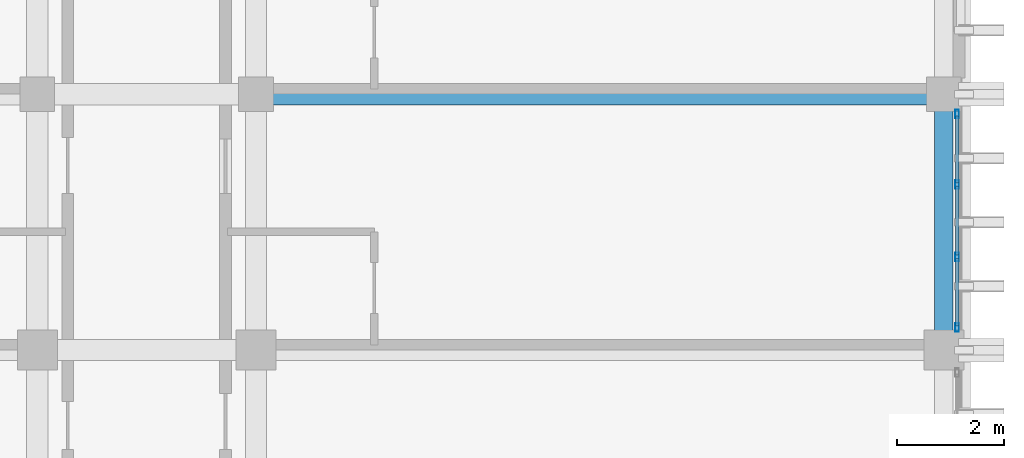
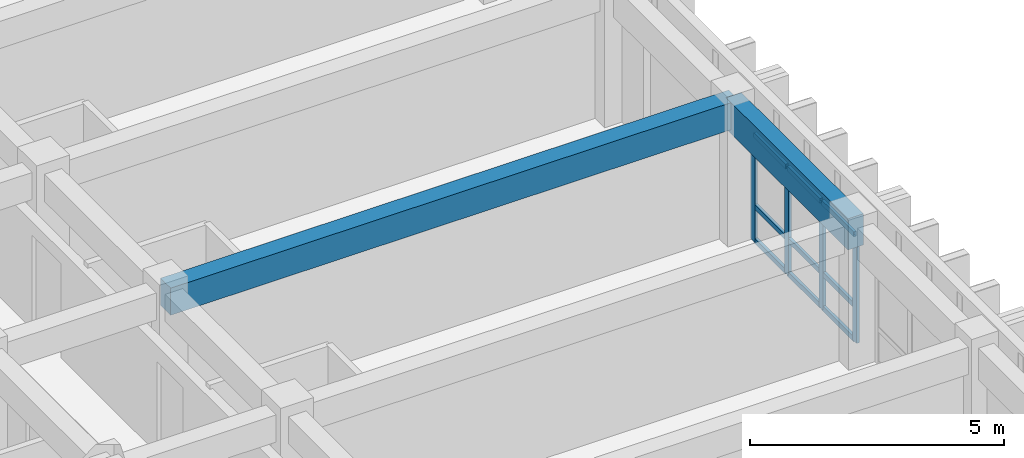
# One storey, part 16 of 64: 13 members, 2 beams, 1 element without a shape of its own.
"""IFC4 building model written with IfcOpenShell, lengths in metres."""

from ifc_helpers import new_model, si_unit, direction, frame, origin, origin_2d, place, context, subcontext, project, spatial, rectangle, hollow_rectangle, extrude, material, layer, layer_set, material_profile, profile_set, type_object, element, aggregate, save


model = new_model("IFC4")

# Units and contexts
model_context = context("Model", 3, precision=1e-05, world=origin(), true_north=direction((0.0, 1.0)))
body_context = subcontext(model_context, "Body", "Model", "MODEL_VIEW")
ifc_project = project(units=[si_unit("LENGTHUNIT", "METRE"), si_unit("AREAUNIT", "SQUARE_METRE"), si_unit("VOLUMEUNIT", "CUBIC_METRE"), si_unit("PLANEANGLEUNIT", "RADIAN"), si_unit("MASSUNIT", "GRAM", prefix="KILO")], contexts=[model_context])

# Site, building, storey
site_placement = place(None, origin())
site = spatial("IfcSite", under=ifc_project, at=site_placement, CompositionType="ELEMENT")
building_placement = place(site_placement, origin())
building = spatial("IfcBuilding", under=site, at=building_placement, Name="Nakhvara Creek Congress Hotel", CompositionType="ELEMENT")
storey_placement = place(building_placement, frame((0.0, 0.0, 28.199951171875)))
storey = spatial("IfcBuildingStorey", under=building, at=storey_placement, Name="L06", CompositionType="ELEMENT", Elevation=28.199951171875)

# Beams
ifc_material_1 = material(Name="Concrete C40/50", Category="concrete")
ifc_material_profile_1 = material_profile(ifc_material_1, rectangle(XDim=0.39990234375, YDim=0.64990234375, at=origin_2d()), Name="RC-BM 400x650", Category="LoadBearing")
ifc_profile_set_1 = profile_set([ifc_material_profile_1], Name="Concrete C40/50")
beam_type_1 = type_object("IfcBeamType", Name="BM-RC-400X650", PredefinedType="BEAM", material=ifc_profile_set_1)
beam_1_placement = place(storey_placement, frame((166.449951171875, 62.39990234375, 3.01513671875), z_axis=(1.0, 0.0, 0.0), x_axis=(0.0, 1.0, 0.0)))
element("IfcBeam", 1, at=beam_1_placement, inside=storey, type_object=beam_type_1, Name="Beam B06-L06-2311", PredefinedType="BEAM", context=body_context, shape_type="SweptSolid", body=[
    extrude(rectangle(XDim=0.39990234375, YDim=0.64990234375, at=origin_2d()), origin(), (0.0, 0.0, 1.0), 12.900146484375),
])
ifc_material_profile_2 = material_profile(ifc_material_1, rectangle(XDim=0.35009765625, YDim=0.75, at=origin_2d()), Name="RC-SPANDREL 350x750", Category="LoadBearing")
ifc_profile_set_2 = profile_set([ifc_material_profile_2], Name="Concrete C40/50")
beam_type_2 = type_object("IfcBeamType", Name="BM-SPN-350X750", PredefinedType="SPANDREL", material=ifc_profile_set_2)
beam_2_placement = place(storey_placement, frame((179.35009765625, 57.60009765625, 2.965087890625), z_axis=(0.0, 1.0, 0.0), x_axis=(-1.0, 0.0, 0.0)))
element("IfcBeam", 2, at=beam_2_placement, inside=storey, type_object=beam_type_2, Name="Beam SP1-L06-2279", PredefinedType="SPANDREL", context=body_context, shape_type="SweptSolid", body=[
    extrude(rectangle(XDim=0.35009765625, YDim=0.75, at=origin_2d()), origin(), (0.0, 0.0, 1.0), 4.7998046875),
])

# Curtain wall, members
ifc_material_2 = material(Name="Bronze-anodised aluminium AW-6063-T6 and double-silver low-E glass", Category="aluminium")
ifc_layer = layer(ifc_material_2, 0.199951171875)
ifc_layer_set = layer_set([ifc_layer], Name="Bronze-anodised aluminium AW-6063-T6 and double-silver low-E glass")
curtain_wall_type = type_object("IfcCurtainWallType", Name="CW-HTL-UNIT", PredefinedType="USERDEFINED", material=ifc_layer_set)
curtain_wall_placement = place(storey_placement, origin())
curtain_wall = element("IfcCurtainWall", 3, at=curtain_wall_placement, inside=storey, type_object=curtain_wall_type, Name="Curtain Wall CW235", ObjectType="UNITISED", PredefinedType="USERDEFINED")
ifc_material_3 = material(Name="Bronze-anodised aluminium AW-6063-T6", Category="aluminium")
ifc_material_profile_3 = material_profile(ifc_material_3, hollow_rectangle(XDim=0.06494140625, YDim=0.159912109375, WallThickness=0.00390625, at=origin_2d()), Name="ALU-MULL 65x160x4", Category="LoadBearing")
ifc_profile_set_3 = profile_set([ifc_material_profile_3], Name="Bronze-anodised aluminium AW-6063-T6")
member_type_1 = type_object("IfcMemberType", Name="CW-MULL-160", PredefinedType="MULLION", material=ifc_profile_set_3)
member_1_placement = place(storey_placement, frame((179.60009765625, 62.027587890625, 0.0), z_axis=(0.0, 0.0, 1.0), x_axis=(1.0, 0.0, 0.0)))
member_1 = element("IfcMember", 4, at=member_1_placement, type_object=member_type_1, Name="CW235 mullion 1", PredefinedType="MULLION", context=body_context, shape_type="SweptSolid", body=[
    extrude(hollow_rectangle(XDim=0.06494140625, YDim=0.159912109375, WallThickness=0.00390625, at=origin_2d()), origin(), (0.0, 0.0, 1.0), 2.58203125),
])
member_2_placement = place(storey_placement, frame((179.60009765625, 60.703369140625, 0.0), z_axis=(0.0, 0.0, 1.0), x_axis=(1.0, 0.0, 0.0)))
member_2 = element("IfcMember", 5, at=member_2_placement, type_object=member_type_1, Name="CW235 mullion 2", PredefinedType="MULLION", context=body_context, shape_type="SweptSolid", body=[
    extrude(hollow_rectangle(XDim=0.06494140625, YDim=0.159912109375, WallThickness=0.00390625, at=origin_2d()), origin(), (0.0, 0.0, 1.0), 2.58203125),
])
member_3_placement = place(storey_placement, frame((179.60009765625, 59.3466796875, 0.0), z_axis=(0.0, 0.0, 1.0), x_axis=(1.0, 0.0, 0.0)))
member_3 = element("IfcMember", 6, at=member_3_placement, type_object=member_type_1, Name="CW235 mullion 3", PredefinedType="MULLION", context=body_context, shape_type="SweptSolid", body=[
    extrude(hollow_rectangle(XDim=0.06494140625, YDim=0.159912109375, WallThickness=0.00390625, at=origin_2d()), origin(), (0.0, 0.0, 1.0), 2.58203125),
])
member_4_placement = place(storey_placement, frame((179.60009765625, 58.0224609375, 0.0), z_axis=(0.0, 0.0, 1.0), x_axis=(1.0, 0.0, 0.0)))
member_4 = element("IfcMember", 7, at=member_4_placement, type_object=member_type_1, Name="CW235 mullion 4", PredefinedType="MULLION", context=body_context, shape_type="SweptSolid", body=[
    extrude(hollow_rectangle(XDim=0.06494140625, YDim=0.159912109375, WallThickness=0.00390625, at=origin_2d()), origin(), (0.0, 0.0, 1.0), 2.58203125),
])
ifc_material_profile_4 = material_profile(ifc_material_3, hollow_rectangle(XDim=0.06494140625, YDim=0.1201171875, WallThickness=0.00390625, at=origin_2d()), Name="ALU-TRAN 65x120x4", Category="LoadBearing")
ifc_profile_set_4 = profile_set([ifc_material_profile_4], Name="Bronze-anodised aluminium AW-6063-T6")
member_type_2 = type_object("IfcMemberType", Name="CW-TRAN-120", PredefinedType="USERDEFINED", material=ifc_profile_set_4)
member_5_placement = place(storey_placement, frame((179.60009765625, 61.9951171875, 0.032470703125), z_axis=(0.0, -1.0, 0.0), x_axis=(1.0, 0.0, 0.0)))
member_5 = element("IfcMember", 8, at=member_5_placement, type_object=member_type_2, Name="CW235 transom 1.1", ObjectType="TRANSOM", PredefinedType="USERDEFINED", context=body_context, shape_type="SweptSolid", body=[
    extrude(hollow_rectangle(XDim=0.06494140625, YDim=0.1201171875, WallThickness=0.00390625, at=origin_2d()), origin(), (0.0, 0.0, 1.0), 1.25927734375),
])
member_6_placement = place(storey_placement, frame((179.60009765625, 61.9951171875, 0.85009765625), z_axis=(0.0, -1.0, 0.0), x_axis=(1.0, 0.0, 0.0)))
member_6 = element("IfcMember", 9, at=member_6_placement, type_object=member_type_2, Name="CW235 transom 1.2", ObjectType="TRANSOM", PredefinedType="USERDEFINED", context=body_context, shape_type="SweptSolid", body=[
    extrude(hollow_rectangle(XDim=0.06494140625, YDim=0.1201171875, WallThickness=0.00390625, at=origin_2d()), origin(), (0.0, 0.0, 1.0), 1.25927734375),
])
member_7_placement = place(storey_placement, frame((179.60009765625, 61.9951171875, 2.549560546875), z_axis=(0.0, -1.0, 0.0), x_axis=(1.0, 0.0, 0.0)))
member_7 = element("IfcMember", 10, at=member_7_placement, type_object=member_type_2, Name="CW235 transom 1.3", ObjectType="TRANSOM", PredefinedType="USERDEFINED", context=body_context, shape_type="SweptSolid", body=[
    extrude(hollow_rectangle(XDim=0.06494140625, YDim=0.1201171875, WallThickness=0.00390625, at=origin_2d()), origin(), (0.0, 0.0, 1.0), 1.25927734375),
])
member_8_placement = place(storey_placement, frame((179.60009765625, 60.6708984375, 0.032470703125), z_axis=(0.0, -1.0, 0.0), x_axis=(1.0, 0.0, 0.0)))
member_8 = element("IfcMember", 11, at=member_8_placement, type_object=member_type_2, Name="CW235 transom 2.1", ObjectType="TRANSOM", PredefinedType="USERDEFINED", context=body_context, shape_type="SweptSolid", body=[
    extrude(hollow_rectangle(XDim=0.06494140625, YDim=0.1201171875, WallThickness=0.00390625, at=origin_2d()), origin(), (0.0, 0.0, 1.0), 1.291748046875),
])
member_9_placement = place(storey_placement, frame((179.60009765625, 60.6708984375, 0.85009765625), z_axis=(0.0, -1.0, 0.0), x_axis=(1.0, 0.0, 0.0)))
member_9 = element("IfcMember", 12, at=member_9_placement, type_object=member_type_2, Name="CW235 transom 2.2", ObjectType="TRANSOM", PredefinedType="USERDEFINED", context=body_context, shape_type="SweptSolid", body=[
    extrude(hollow_rectangle(XDim=0.06494140625, YDim=0.1201171875, WallThickness=0.00390625, at=origin_2d()), origin(), (0.0, 0.0, 1.0), 1.291748046875),
])
member_10_placement = place(storey_placement, frame((179.60009765625, 60.6708984375, 2.549560546875), z_axis=(0.0, -1.0, 0.0), x_axis=(1.0, 0.0, 0.0)))
member_10 = element("IfcMember", 13, at=member_10_placement, type_object=member_type_2, Name="CW235 transom 2.3", ObjectType="TRANSOM", PredefinedType="USERDEFINED", context=body_context, shape_type="SweptSolid", body=[
    extrude(hollow_rectangle(XDim=0.06494140625, YDim=0.1201171875, WallThickness=0.00390625, at=origin_2d()), origin(), (0.0, 0.0, 1.0), 1.291748046875),
])
member_11_placement = place(storey_placement, frame((179.60009765625, 59.314208984375, 0.032470703125), z_axis=(0.0, -1.0, 0.0), x_axis=(1.0, 0.0, 0.0)))
member_11 = element("IfcMember", 14, at=member_11_placement, type_object=member_type_2, Name="CW235 transom 3.1", ObjectType="TRANSOM", PredefinedType="USERDEFINED", context=body_context, shape_type="SweptSolid", body=[
    extrude(hollow_rectangle(XDim=0.06494140625, YDim=0.1201171875, WallThickness=0.00390625, at=origin_2d()), origin(), (0.0, 0.0, 1.0), 1.25927734375),
])
member_12_placement = place(storey_placement, frame((179.60009765625, 59.314208984375, 0.85009765625), z_axis=(0.0, -1.0, 0.0), x_axis=(1.0, 0.0, 0.0)))
member_12 = element("IfcMember", 15, at=member_12_placement, type_object=member_type_2, Name="CW235 transom 3.2", ObjectType="TRANSOM", PredefinedType="USERDEFINED", context=body_context, shape_type="SweptSolid", body=[
    extrude(hollow_rectangle(XDim=0.06494140625, YDim=0.1201171875, WallThickness=0.00390625, at=origin_2d()), origin(), (0.0, 0.0, 1.0), 1.25927734375),
])
member_13_placement = place(storey_placement, frame((179.60009765625, 59.314208984375, 2.549560546875), z_axis=(0.0, -1.0, 0.0), x_axis=(1.0, 0.0, 0.0)))
member_13 = element("IfcMember", 16, at=member_13_placement, type_object=member_type_2, Name="CW235 transom 3.3", ObjectType="TRANSOM", PredefinedType="USERDEFINED", context=body_context, shape_type="SweptSolid", body=[
    extrude(hollow_rectangle(XDim=0.06494140625, YDim=0.1201171875, WallThickness=0.00390625, at=origin_2d()), origin(), (0.0, 0.0, 1.0), 1.25927734375),
])
aggregate(curtain_wall, [member_1, member_2, member_3, member_4, member_5, member_6, member_7, member_8, member_9, member_10, member_11, member_12, member_13])

save(model, "model.ifc")
